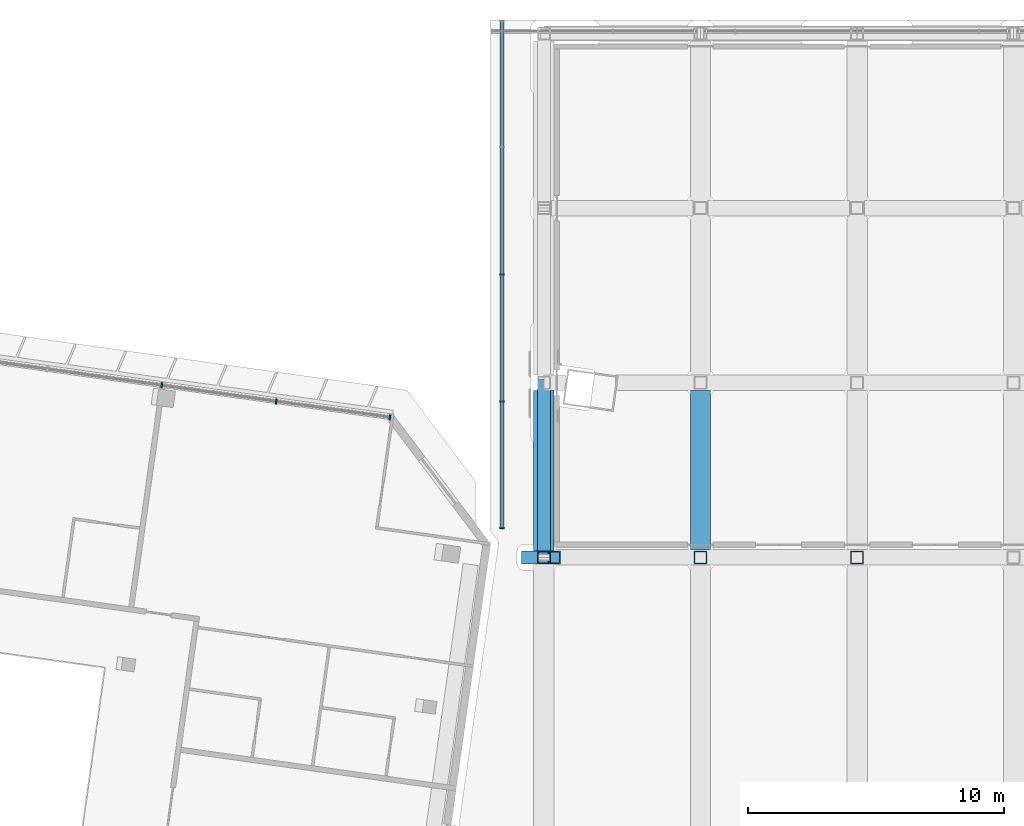
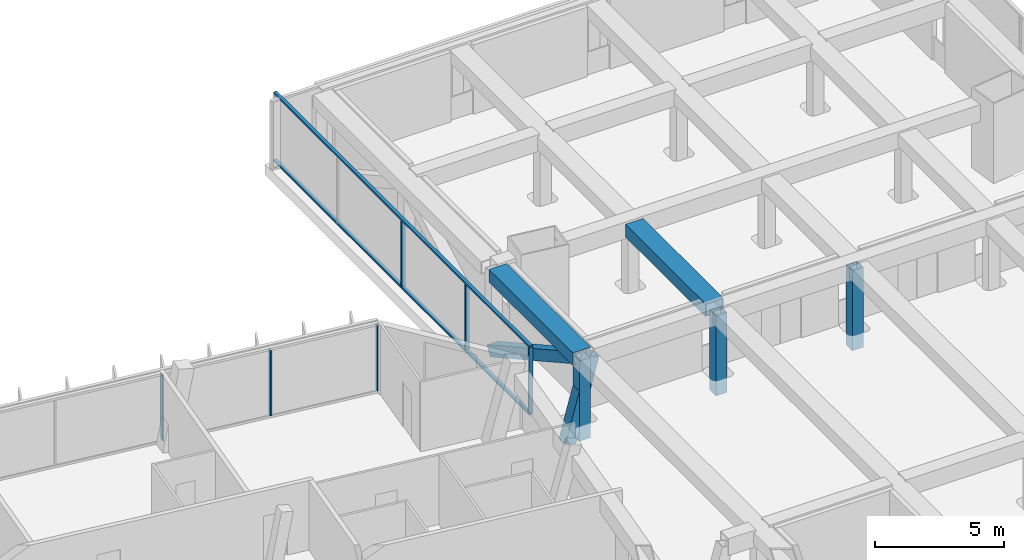
# One storey, part 8 of 30: 15 members, 2 elements without a shape of their own.
"""IFC4 building model written with IfcOpenShell, lengths in metres."""

from ifc_helpers import new_model, si_unit, direction, frame, origin, origin_2d, place, context, subcontext, project, spatial, rectangle, hollow_rectangle, extrude, material, material_profile, profile_set, type_object, element, aggregate, save


model = new_model("IFC4")

# Units and contexts
model_context = context("Model", 3, precision=1e-05, world=origin(), true_north=direction((0.0, 1.0)))
body_context = subcontext(model_context, "Body", "Model", "MODEL_VIEW")
ifc_project = project(units=[si_unit("LENGTHUNIT", "METRE"), si_unit("AREAUNIT", "SQUARE_METRE"), si_unit("VOLUMEUNIT", "CUBIC_METRE"), si_unit("PLANEANGLEUNIT", "RADIAN"), si_unit("MASSUNIT", "GRAM", prefix="KILO")], contexts=[model_context])

# Site, building, storey
site_placement = place(None, origin())
site = spatial("IfcSite", under=ifc_project, at=site_placement, CompositionType="ELEMENT")
building_placement = place(site_placement, origin())
building = spatial("IfcBuilding", under=site, at=building_placement, Name="Mirante Cascada Hotel Towers", CompositionType="ELEMENT")
storey_placement = place(building_placement, frame((0.0, 0.0, 258.4)))
storey = spatial("IfcBuildingStorey", under=building, at=storey_placement, Name="L62", CompositionType="ELEMENT", Elevation=258.4)

# Members
ifc_material_1 = material(Name="Steel ASTM A572 Gr 50", Category="steel")
ifc_material_profile_1 = material_profile(ifc_material_1, hollow_rectangle(XDim=0.6, YDim=0.8, WallThickness=0.04, at=origin_2d()), Name="Box chord 800x600x40 ASTM A572 Gr 50")
ifc_profile_set_1 = profile_set([ifc_material_profile_1], Name="Steel ASTM A572 Gr 50")
member_type_1 = type_object("IfcMemberType", Name="Box chord 800x600x40 ASTM A572 Gr 50", PredefinedType="CHORD", material=ifc_profile_set_1)
member_1_placement = place(storey_placement, frame((-12.2514, 9.9142, 2.9), z_axis=(0.0, 1.0, 0.0), x_axis=(0.0, 0.0, 1.0)))
element("IfcMember", 1, at=member_1_placement, inside=storey, type_object=member_type_1, Name="dchord sky park L63 3", PredefinedType="CHORD", context=body_context, shape_type="SweptSolid", body=[
    extrude(hollow_rectangle(XDim=0.6, YDim=0.8, WallThickness=0.04, at=origin_2d()), origin(), (0.0, 0.0, 1.0), 6.5333),
])
member_2_placement = place(storey_placement, frame((-6.1257, 10.2142, 2.9), z_axis=(0.0, 1.0, 0.0), x_axis=(0.0, 0.0, 1.0)))
element("IfcMember", 2, at=member_2_placement, inside=storey, type_object=member_type_1, Name="dchord sky park L63 7", PredefinedType="CHORD", context=body_context, shape_type="SweptSolid", body=[
    extrude(hollow_rectangle(XDim=0.6, YDim=0.8, WallThickness=0.04, at=origin_2d()), origin(), (0.0, 0.0, 1.0), 6.2333),
])
ifc_material_2 = material(Name="Steel ASTM A572 Gr 50", Category="steel")
ifc_material_profile_2 = material_profile(ifc_material_2, hollow_rectangle(XDim=0.5, YDim=0.5, WallThickness=0.03, at=origin_2d()), Name="Box diagonal 500x500x30 ASTM A572 Gr 50")
ifc_profile_set_2 = profile_set([ifc_material_profile_2], Name="Steel ASTM A572 Gr 50")
member_type_2 = type_object("IfcMemberType", Name="Box diagonal 500x500x30 ASTM A572 Gr 50", PredefinedType="BRACE", material=ifc_profile_set_2)
member_3_placement = place(storey_placement, frame((-12.2514, 16.7475, -0.9), z_axis=(0.0, -0.8739551, 0.4860067), x_axis=(1.0, 0.0, 0.0)))
element("IfcMember", 3, at=member_3_placement, inside=storey, type_object=member_type_2, Name="ddiag sky park L62 3", PredefinedType="BRACE", context=body_context, shape_type="SweptSolid", body=[
    extrude(hollow_rectangle(XDim=0.5, YDim=0.5, WallThickness=0.03, at=origin_2d()), origin(), (0.0, 0.0, 1.0), 7.8188),
])
ifc_material_3 = material(Name="Steel ASTM A572 Gr 50", Category="steel")
ifc_material_profile_3 = material_profile(ifc_material_3, hollow_rectangle(XDim=0.5, YDim=0.5, WallThickness=0.03, at=origin_2d()), Name="Box post 500x500x30 ASTM A572 Gr 50")
ifc_profile_set_3 = profile_set([ifc_material_profile_3], Name="Steel ASTM A572 Gr 50")
member_type_3 = type_object("IfcMemberType", Name="Box post 500x500x30 ASTM A572 Gr 50", PredefinedType="POST", material=ifc_profile_set_3)
for number, where, z_axis, x_axis, name in (
    (4, (-12.2514, 9.9142, -0.9), (0.0, 0.0, 1.0), (1.0, 0.0, 0.0), "dpost sky park L62 4"),
    (5, (-6.1257, 9.9142, -0.9), (0.0, 0.0, 1.0), (1.0, 0.0, 0.0), "dpost sky park L62 11"),
    (6, (0.0, 9.9142, -0.9), (0.0, 0.0, 1.0), (1.0, 0.0, 0.0), "dpost sky park L62 18"),
):
    element("IfcMember", number, at=place(storey_placement, frame(where, z_axis=z_axis, x_axis=x_axis)), inside=storey, type_object=member_type_3, Name=name, PredefinedType="POST", context=body_context, shape_type="SweptSolid", body=[
        extrude(hollow_rectangle(XDim=0.5, YDim=0.5, WallThickness=0.03, at=origin_2d()), origin(), (0.0, 0.0, 1.0), 3.8),
    ])
member_4_placement = place(storey_placement, frame((-12.8957, 9.9142, -0.9), z_axis=(0.264543, 0.0, 0.9643739), x_axis=(0.0, 1.0, 0.0)))
element("IfcMember", 7, at=member_4_placement, inside=storey, type_object=member_type_3, Name="dpost sky park L62 40", PredefinedType="POST", context=body_context, shape_type="SweptSolid", body=[
    extrude(hollow_rectangle(XDim=0.5, YDim=0.5, WallThickness=0.03, at=origin_2d()), origin(), (0.0, 0.0, 1.0), 3.9404),
])

# Curtain wall, members
ifc_material_4 = material(Name="Aluminium mullion and transom frame with clear laminated glass", Category="aluminium")
curtain_wall_type_1 = type_object("IfcCurtainWallType", Name="Ribbon curtain wall ECW1", PredefinedType="NOTDEFINED", material=ifc_material_4)
curtain_wall_1_placement = place(storey_placement, origin())
curtain_wall_1 = element("IfcCurtainWall", 8, at=curtain_wall_1_placement, inside=storey, type_object=curtain_wall_type_1, Name="Front ribbon wall T1 L62", PredefinedType="NOTDEFINED")
ifc_material_5 = material(Name="Anodised aluminium extrusion", Category="aluminium")
ifc_material_profile_4 = material_profile(ifc_material_5, rectangle(XDim=0.2, YDim=0.065, at=origin_2d()), Name="ECW1 MULLION 65x200")
ifc_profile_set_4 = profile_set([ifc_material_profile_4], Name="Anodised aluminium extrusion")
member_type_4 = type_object("IfcMemberType", Name="ECW1 mullion 65x200", PredefinedType="MULLION", material=ifc_profile_set_4)
member_5_placement = place(storey_placement, frame((-27.2051, 16.6425, 0.1), z_axis=(0.0, 0.0, 1.0), x_axis=(0.1391731, 0.9902681, 0.0)))
member_5 = element("IfcMember", 9, at=member_5_placement, type_object=member_type_4, Name="ECW1 mullion 6", PredefinedType="MULLION", context=body_context, shape_type="SweptSolid", body=[
    extrude(rectangle(XDim=0.2, YDim=0.065, at=origin_2d()), origin(), (0.0, 0.0, 1.0), 3.1),
])
member_6_placement = place(storey_placement, frame((-22.7269, 16.0131, 0.1), z_axis=(0.0, 0.0, 1.0), x_axis=(0.1391731, 0.9902681, 0.0)))
member_6 = element("IfcMember", 10, at=member_6_placement, type_object=member_type_4, Name="ECW1 mullion 7", PredefinedType="MULLION", context=body_context, shape_type="SweptSolid", body=[
    extrude(rectangle(XDim=0.2, YDim=0.065, at=origin_2d()), origin(), (0.0, 0.0, 1.0), 3.1),
])
member_7_placement = place(storey_placement, frame((-18.2809, 15.3882, 0.1), z_axis=(0.0, 0.0, 1.0), x_axis=(0.1391731, 0.9902681, 0.0)))
member_7 = element("IfcMember", 11, at=member_7_placement, type_object=member_type_4, Name="ECW1 mullion 8", PredefinedType="MULLION", context=body_context, shape_type="SweptSolid", body=[
    extrude(rectangle(XDim=0.2, YDim=0.065, at=origin_2d()), origin(), (0.0, 0.0, 1.0), 3.1),
])
aggregate(curtain_wall_1, [member_5, member_6, member_7])

ifc_material_6 = material(Name="Aluminium mullion and transom frame with clear laminated glass", Category="aluminium")
curtain_wall_type_2 = type_object("IfcCurtainWallType", Name="Sky park deck curtain wall ECW5", PredefinedType="NOTDEFINED", material=ifc_material_6)
curtain_wall_2_placement = place(storey_placement, origin())
curtain_wall_2 = element("IfcCurtainWall", 12, at=curtain_wall_2_placement, inside=storey, type_object=curtain_wall_type_2, Name="Sky park glazing L62 run 4", PredefinedType="NOTDEFINED")
ifc_material_7 = material(Name="Anodised aluminium extrusion", Category="aluminium")
ifc_material_profile_5 = material_profile(ifc_material_7, rectangle(XDim=0.18, YDim=0.06, at=origin_2d()), Name="ECW5 MULLION 60x180")
ifc_profile_set_5 = profile_set([ifc_material_profile_5], Name="Anodised aluminium extrusion")
member_type_5 = type_object("IfcMemberType", Name="ECW5 mullion 60x180", PredefinedType="MULLION", material=ifc_profile_set_5)
member_8_placement = place(storey_placement, frame((-13.8864, 20.9911, 0.09), z_axis=(0.0, 0.0, 1.0), x_axis=(1.0, 0.0, 0.0)))
member_8 = element("IfcMember", 13, at=member_8_placement, type_object=member_type_5, Name="ECW5 mullion 3", PredefinedType="MULLION", context=body_context, shape_type="SweptSolid", body=[
    extrude(rectangle(XDim=0.18, YDim=0.06, at=origin_2d()), origin(), (0.0, 0.0, 1.0), 3.12),
])
member_9_placement = place(storey_placement, frame((-13.8864, 16.0161, 0.09), z_axis=(0.0, 0.0, 1.0), x_axis=(1.0, 0.0, 0.0)))
member_9 = element("IfcMember", 14, at=member_9_placement, type_object=member_type_5, Name="ECW5 mullion 4", PredefinedType="MULLION", context=body_context, shape_type="SweptSolid", body=[
    extrude(rectangle(XDim=0.18, YDim=0.06, at=origin_2d()), origin(), (0.0, 0.0, 1.0), 3.12),
])
member_10_placement = place(storey_placement, frame((-13.8864, 11.0711, 0.09), z_axis=(0.0, 0.0, 1.0), x_axis=(1.0, 0.0, 0.0)))
member_10 = element("IfcMember", 15, at=member_10_placement, type_object=member_type_5, Name="ECW5 mullion 5", PredefinedType="MULLION", context=body_context, shape_type="SweptSolid", body=[
    extrude(rectangle(XDim=0.18, YDim=0.06, at=origin_2d()), origin(), (0.0, 0.0, 1.0), 3.12),
])
ifc_material_8 = material(Name="Anodised aluminium extrusion", Category="aluminium")
ifc_material_profile_6 = material_profile(ifc_material_8, rectangle(XDim=0.15, YDim=0.09, at=origin_2d()), Name="ECW5 TRANSOM 90x150")
ifc_profile_set_6 = profile_set([ifc_material_profile_6], Name="Anodised aluminium extrusion")
member_type_6 = type_object("IfcMemberType", Name="ECW5 transom 90x150", PredefinedType="USERDEFINED", material=ifc_profile_set_6)
member_11_placement = place(storey_placement, frame((-13.8864, 30.9411, 0.045), z_axis=(0.0, -1.0, 0.0), x_axis=(1.0, 0.0, 0.0)))
member_11 = element("IfcMember", 16, at=member_11_placement, type_object=member_type_6, Name="ECW5 sill transom", ObjectType="TRANSOM", PredefinedType="USERDEFINED", context=body_context, shape_type="SweptSolid", body=[
    extrude(rectangle(XDim=0.15, YDim=0.09, at=origin_2d()), origin(), (0.0, 0.0, 1.0), 19.9),
])
member_12_placement = place(storey_placement, frame((-13.8864, 30.9411, 3.255), z_axis=(0.0, -1.0, 0.0), x_axis=(1.0, 0.0, 0.0)))
member_12 = element("IfcMember", 17, at=member_12_placement, type_object=member_type_6, Name="ECW5 head transom", ObjectType="TRANSOM", PredefinedType="USERDEFINED", context=body_context, shape_type="SweptSolid", body=[
    extrude(rectangle(XDim=0.15, YDim=0.09, at=origin_2d()), origin(), (0.0, 0.0, 1.0), 19.9),
])
aggregate(curtain_wall_2, [member_11, member_12, member_8, member_9, member_10])

save(model, "model.ifc")
